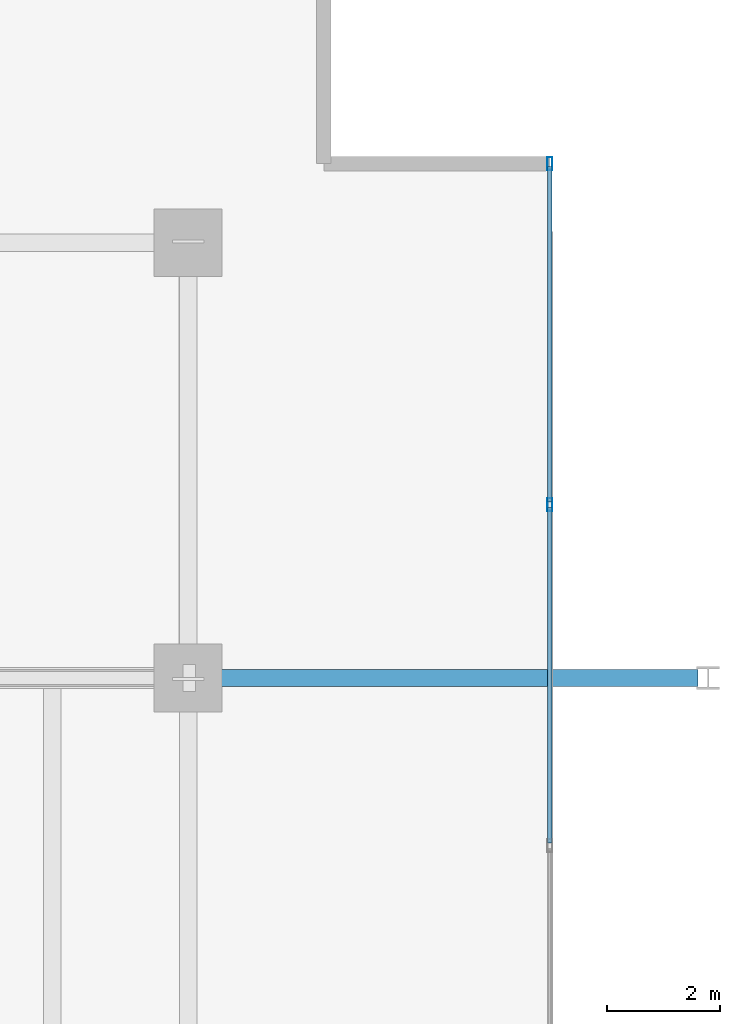
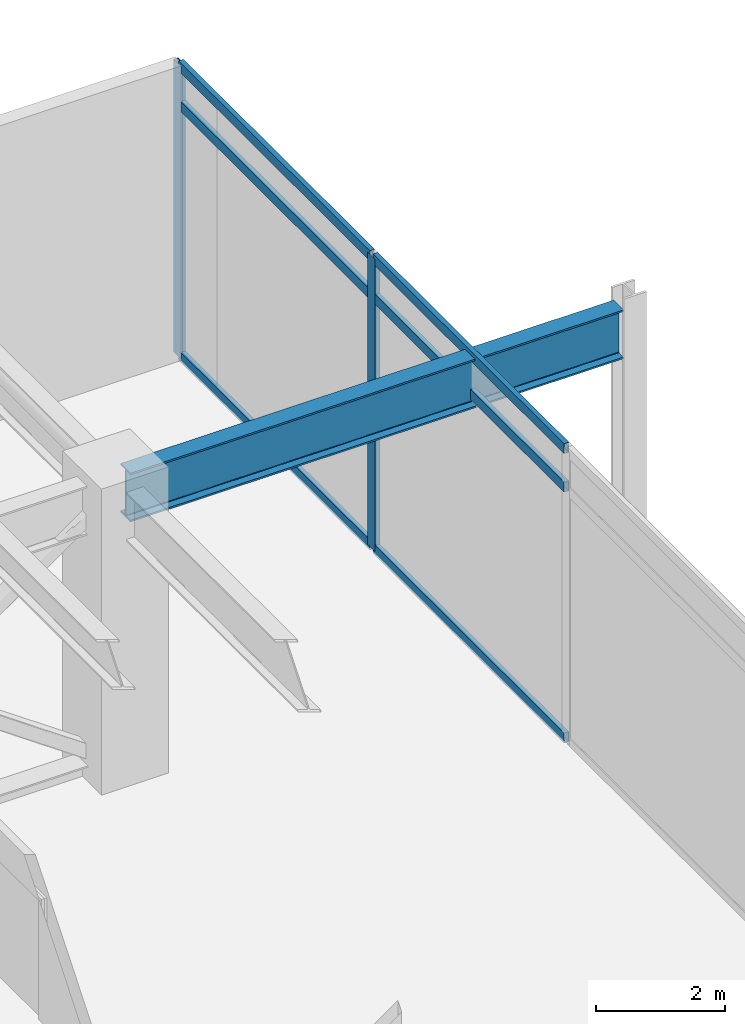
# One storey, part 18 of 26: 8 members, 1 beam, 1 element without a shape of its own.
"""IFC4 building model written with IfcOpenShell, lengths in metres."""

from ifc_helpers import new_model, si_unit, direction, frame, origin, origin_2d, place, context, subcontext, project, spatial, hollow_rectangle, i_section, extrude, material, material_profile, profile_set, type_object, element, aggregate, save


model = new_model("IFC4")

# Units and contexts
model_context = context("Model", 3, precision=1e-05, world=origin(), true_north=direction((0.0, 1.0)))
body_context = subcontext(model_context, "Body", "Model", "MODEL_VIEW")
ifc_project = project(units=[si_unit("LENGTHUNIT", "METRE"), si_unit("AREAUNIT", "SQUARE_METRE"), si_unit("VOLUMEUNIT", "CUBIC_METRE"), si_unit("PLANEANGLEUNIT", "RADIAN"), si_unit("MASSUNIT", "GRAM", prefix="KILO")], contexts=[model_context])

# Site, building, storey
site_placement = place(None, origin())
site = spatial("IfcSite", under=ifc_project, at=site_placement, CompositionType="ELEMENT")
building_placement = place(site_placement, origin())
building = spatial("IfcBuilding", under=site, at=building_placement, Name="Kovane Verandah Tower", CompositionType="ELEMENT")
storey_placement = place(building_placement, frame((0.0, 0.0, 301.0)))
storey = spatial("IfcBuildingStorey", under=building, at=storey_placement, Name="L70", CompositionType="ELEMENT", Elevation=301.0)

# Beam
ifc_material_1 = material(Name="Steel S460", Category="steel")
ifc_material_profile_1 = material_profile(ifc_material_1, i_section(OverallWidth=0.3076171875, OverallDepth=0.926513671875, WebThickness=0.01953125, FlangeThickness=0.031982421875, FilletRadius=0.01904296875, at=origin_2d()), Name="UB914x305x289")
ifc_profile_set_1 = profile_set([ifc_material_profile_1], Name="Steel S460")
beam_type = type_object("IfcBeamType", Name="BM-UB914x289", PredefinedType="BEAM", material=ifc_profile_set_1)
beam_placement = place(storey_placement, frame((58.580078125, 36.5, 5.0966796875), z_axis=(1.0, 0.0, 0.0), x_axis=(0.0, 1.0, 0.0)))
element("IfcBeam", 1, at=beam_placement, inside=storey, type_object=beam_type, Name="L70 Primary Tower Girder G-VE2", PredefinedType="BEAM", context=body_context, shape_type="SweptSolid", body=[
    extrude(i_section(OverallWidth=0.3076171875, OverallDepth=0.926513671875, WebThickness=0.01953125, FlangeThickness=0.031982421875, FilletRadius=0.01904296875, at=origin_2d()), origin(), (0.0, 0.0, 1.0), 8.83984375),
])

# Curtain wall, members
ifc_material_2 = material(Name="Champagne Anodised Aluminium Frame with Low-E Clear Laminated Glass", Category="aluminium")
curtain_wall_type = type_object("IfcCurtainWallType", Name="CW-SYS-05-HIGH", PredefinedType="NOTDEFINED", material=ifc_material_2)
curtain_wall_placement = place(storey_placement, origin())
curtain_wall = element("IfcCurtainWall", 2, at=curtain_wall_placement, inside=storey, type_object=curtain_wall_type, Name="L70 E Unitised Curtain Wall", PredefinedType="NOTDEFINED")
ifc_material_3 = material(Name="Champagne Anodised Aluminium 6063-T6", Category="aluminium")
ifc_material_profile_2 = material_profile(ifc_material_3, hollow_rectangle(XDim=0.0849609375, YDim=0.22998046875, WallThickness=0.00390625, at=origin_2d()), Name="AL85x230x4")
ifc_profile_set_2 = profile_set([ifc_material_profile_2], Name="Champagne Anodised Aluminium 6063-T6")
member_type_1 = type_object("IfcMemberType", Name="CW-MUL-85x230", PredefinedType="MULLION", material=ifc_profile_set_2)
member_1_placement = place(storey_placement, frame((64.800048828125, 39.566650390625, 0.02001953125), z_axis=(0.0, 0.0, 1.0), x_axis=(1.0, 0.0, 0.0)))
member_1 = element("IfcMember", 3, at=member_1_placement, type_object=member_type_1, Name="L70 E Unitised Curtain Wall Mullion 6", PredefinedType="MULLION", context=body_context, shape_type="SweptSolid", body=[
    extrude(hollow_rectangle(XDim=0.0849609375, YDim=0.22998046875, WallThickness=0.00390625, at=origin_2d()), origin(), (0.0, 0.0, 1.0), 5.544921875),
])
member_2_placement = place(storey_placement, frame((64.800048828125, 45.60009765625, 0.02001953125), z_axis=(0.0, 0.0, 1.0), x_axis=(1.0, 0.0, 0.0)))
member_2 = element("IfcMember", 4, at=member_2_placement, type_object=member_type_1, Name="L70 E Unitised Curtain Wall Mullion 7", PredefinedType="MULLION", context=body_context, shape_type="SweptSolid", body=[
    extrude(hollow_rectangle(XDim=0.0849609375, YDim=0.22998046875, WallThickness=0.00390625, at=origin_2d()), origin(), (0.0, 0.0, 1.0), 5.544921875),
])
ifc_material_profile_3 = material_profile(ifc_material_3, hollow_rectangle(XDim=0.0849609375, YDim=0.18994140625, WallThickness=0.00390625, at=origin_2d()), Name="AL85x190x4")
ifc_profile_set_3 = profile_set([ifc_material_profile_3], Name="Champagne Anodised Aluminium 6063-T6")
member_type_2 = type_object("IfcMemberType", Name="CW-TRN-85x190", PredefinedType="USERDEFINED", material=ifc_profile_set_3)
member_3_placement = place(storey_placement, frame((64.800048828125, 33.583251953125, 0.050048828125), z_axis=(0.0, 1.0, 0.0), x_axis=(-1.0, 0.0, 0.0)))
member_3 = element("IfcMember", 5, at=member_3_placement, type_object=member_type_2, Name="L70 E Unitised Curtain Wall Transom TB Bay 5", ObjectType="TRANSOM", PredefinedType="USERDEFINED", context=body_context, shape_type="SweptSolid", body=[
    extrude(hollow_rectangle(XDim=0.0849609375, YDim=0.18994140625, WallThickness=0.00390625, at=origin_2d()), origin(), (0.0, 0.0, 1.0), 5.933349609375),
])
member_4_placement = place(storey_placement, frame((64.800048828125, 33.583251953125, 4.804931640625), z_axis=(0.0, 1.0, 0.0), x_axis=(-1.0, 0.0, 0.0)))
member_4 = element("IfcMember", 6, at=member_4_placement, type_object=member_type_2, Name="L70 E Unitised Curtain Wall Transom TM Bay 5", ObjectType="TRANSOM", PredefinedType="USERDEFINED", context=body_context, shape_type="SweptSolid", body=[
    extrude(hollow_rectangle(XDim=0.0849609375, YDim=0.18994140625, WallThickness=0.00390625, at=origin_2d()), origin(), (0.0, 0.0, 1.0), 5.933349609375),
])
member_5_placement = place(storey_placement, frame((64.800048828125, 33.583251953125, 5.534912109375), z_axis=(0.0, 1.0, 0.0), x_axis=(-1.0, 0.0, 0.0)))
member_5 = element("IfcMember", 7, at=member_5_placement, type_object=member_type_2, Name="L70 E Unitised Curtain Wall Transom TT Bay 5", ObjectType="TRANSOM", PredefinedType="USERDEFINED", context=body_context, shape_type="SweptSolid", body=[
    extrude(hollow_rectangle(XDim=0.0849609375, YDim=0.18994140625, WallThickness=0.00390625, at=origin_2d()), origin(), (0.0, 0.0, 1.0), 5.933349609375),
])
member_6_placement = place(storey_placement, frame((64.800048828125, 39.61669921875, 0.050048828125), z_axis=(0.0, 1.0, 0.0), x_axis=(-1.0, 0.0, 0.0)))
member_6 = element("IfcMember", 8, at=member_6_placement, type_object=member_type_2, Name="L70 E Unitised Curtain Wall Transom TB Bay 6", ObjectType="TRANSOM", PredefinedType="USERDEFINED", context=body_context, shape_type="SweptSolid", body=[
    extrude(hollow_rectangle(XDim=0.0849609375, YDim=0.18994140625, WallThickness=0.00390625, at=origin_2d()), origin(), (0.0, 0.0, 1.0), 5.933349609375),
])
member_7_placement = place(storey_placement, frame((64.800048828125, 39.61669921875, 4.804931640625), z_axis=(0.0, 1.0, 0.0), x_axis=(-1.0, 0.0, 0.0)))
member_7 = element("IfcMember", 9, at=member_7_placement, type_object=member_type_2, Name="L70 E Unitised Curtain Wall Transom TM Bay 6", ObjectType="TRANSOM", PredefinedType="USERDEFINED", context=body_context, shape_type="SweptSolid", body=[
    extrude(hollow_rectangle(XDim=0.0849609375, YDim=0.18994140625, WallThickness=0.00390625, at=origin_2d()), origin(), (0.0, 0.0, 1.0), 5.933349609375),
])
member_8_placement = place(storey_placement, frame((64.800048828125, 39.61669921875, 5.534912109375), z_axis=(0.0, 1.0, 0.0), x_axis=(-1.0, 0.0, 0.0)))
member_8 = element("IfcMember", 10, at=member_8_placement, type_object=member_type_2, Name="L70 E Unitised Curtain Wall Transom TT Bay 6", ObjectType="TRANSOM", PredefinedType="USERDEFINED", context=body_context, shape_type="SweptSolid", body=[
    extrude(hollow_rectangle(XDim=0.0849609375, YDim=0.18994140625, WallThickness=0.00390625, at=origin_2d()), origin(), (0.0, 0.0, 1.0), 5.933349609375),
])
aggregate(curtain_wall, [member_1, member_2, member_3, member_4, member_5, member_6, member_7, member_8])

save(model, "model.ifc")
